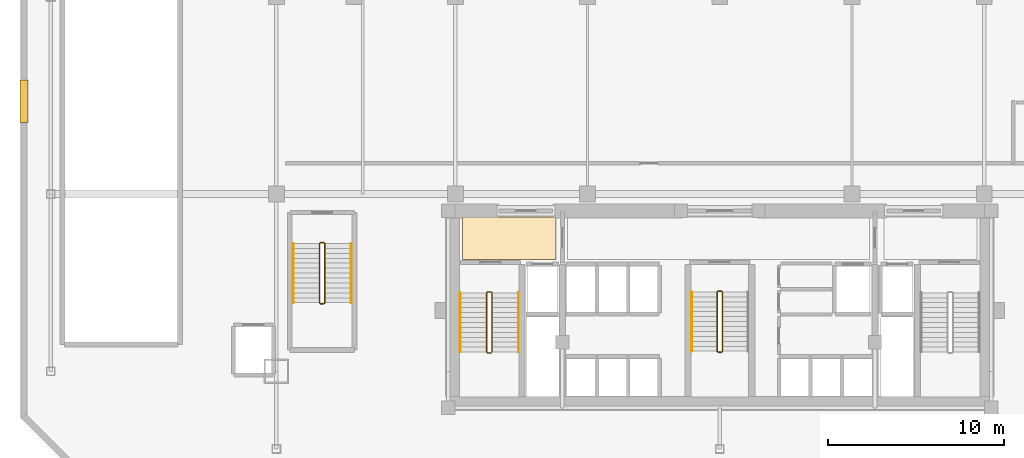
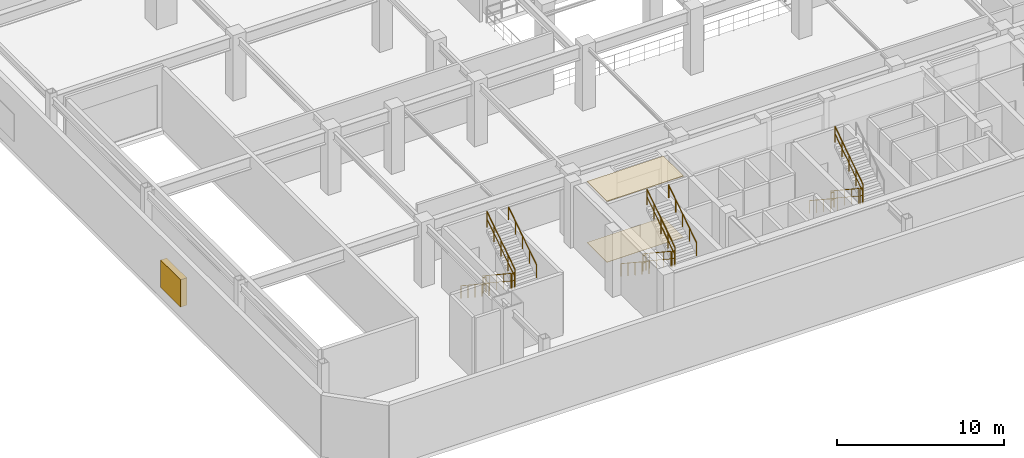
# One storey, part 8 of 10: 17 railings, 2 coverings, 1 shading device.
"""IFC4 building model written with IfcOpenShell, lengths in metres."""

from ifc_helpers import new_model, si_unit, direction, frame, origin, origin_2d, place, context, subcontext, project, spatial, polyline, rectangle, circle, outline, extrude, material, layer, layer_set, type_object, element, save


model = new_model("IFC4")

# Units and contexts
model_context = context("Model", 3, precision=1e-05, world=origin(), true_north=direction((0.0, 1.0)))
body_context = subcontext(model_context, "Body", "Model", "MODEL_VIEW")
ifc_project = project(units=[si_unit("LENGTHUNIT", "METRE"), si_unit("AREAUNIT", "SQUARE_METRE"), si_unit("VOLUMEUNIT", "CUBIC_METRE"), si_unit("PLANEANGLEUNIT", "RADIAN"), si_unit("MASSUNIT", "GRAM", prefix="KILO")], contexts=[model_context])

# Site, building, storey
site_placement = place(None, origin())
site = spatial("IfcSite", under=ifc_project, at=site_placement, CompositionType="ELEMENT")
building_placement = place(site_placement, origin())
building = spatial("IfcBuilding", under=site, at=building_placement, Name="Ventersveld Concourse Tower", CompositionType="ELEMENT")
storey_placement = place(building_placement, frame((0.0, 0.0, 15.0)))
storey = spatial("IfcBuildingStorey", under=building, at=storey_placement, Name="L03", CompositionType="ELEMENT", Elevation=15.0)

# Coverings
ifc_material_1 = material(Name="Mineral-fibre acoustic ceiling tile", Category="gypsum")
ifc_layer_1 = layer(ifc_material_1, 0.0400390625)
ifc_layer_set_1 = layer_set([ifc_layer_1], Name="Mineral-fibre acoustic ceiling tile")
covering_type_1 = type_object("IfcCoveringType", Name="COV-CEIL-ACOUSTIC", PredefinedType="CEILING", material=ifc_layer_set_1)
covering_1_placement = place(storey_placement, frame((0.0, 0.0, 4.4599609375)))
element("IfcCovering", 1, at=covering_1_placement, inside=storey, type_object=covering_type_1, Name="L03 West Firefighting Lobby Acoustic Ceiling", PredefinedType="CEILING", context=body_context, shape_type="SweptSolid", body=[
    extrude(outline(polyline([(14.14990234375, 8.699951171875), (19.449951171875, 8.699951171875), (19.449951171875, 11.10009765625), (14.14990234375, 11.10009765625), (14.14990234375, 8.699951171875)])), origin(), (0.0, 0.0, 1.0), 0.0400390625),
])
ifc_material_2 = material(Name="Polished Highveld granite terrazzo", Category="masonry")
ifc_layer_2 = layer(ifc_material_2, 0.02001953125)
ifc_layer_set_2 = layer_set([ifc_layer_2], Name="Polished Highveld granite terrazzo")
covering_type_2 = type_object("IfcCoveringType", Name="COV-FLOOR-TERRAZZO", PredefinedType="FLOORING", material=ifc_layer_set_2)
covering_2_placement = place(storey_placement, origin())
element("IfcCovering", 2, at=covering_2_placement, inside=storey, type_object=covering_type_2, Name="L03 West Firefighting Lobby Terrazzo Flooring", PredefinedType="FLOORING", context=body_context, shape_type="SweptSolid", body=[
    extrude(outline(polyline([(14.14990234375, 8.699951171875), (19.449951171875, 8.699951171875), (19.449951171875, 11.10009765625), (14.14990234375, 11.10009765625), (14.14990234375, 8.699951171875)])), origin(), (0.0, 0.0, 1.0), 0.02001953125),
])

# Railings
ifc_material_3 = material(Name="Brushed stainless steel 316", Category="steel")
railing_type_1 = type_object("IfcRailingType", Name="GD-BAL-115", PredefinedType="GUARDRAIL", material=ifc_material_3)
railing_1_placement = place(storey_placement, frame((15.530029296875, 6.800048828125, 0.1845703125)))
element("IfcRailing", 3, at=railing_1_placement, inside=storey, type_object=railing_type_1, Name="L03 ST-01 stair guard 1", PredefinedType="GUARDRAIL", context=body_context, shape_type="SweptSolid", body=[
    extrude(circle(Radius=0.02392578125, at=origin_2d()), frame((0.0, 0.0, 1.1259765625), z_axis=(0.0, -0.834876476806, 0.550437342915), x_axis=(1.0, 0.0, 0.0)), (0.0, 0.0, 1.0), 4.024658203125),
    extrude(circle(Radius=0.01611328125, at=origin_2d()), frame((0.0, 0.0, 0.574951171875), z_axis=(0.0, -0.834876476806, 0.550437342915), x_axis=(1.0, 0.0, 0.0)), (0.0, 0.0, 1.0), 4.024658203125),
    extrude(circle(Radius=0.02099609375, at=origin_2d()), origin(), (0.0, 0.0, 1.0), 1.101806640625),
    extrude(circle(Radius=0.02099609375, at=origin_2d()), frame((0.0, -0.840087890625, 0.5537109375)), (0.0, 0.0, 1.0), 1.101806640625),
    extrude(circle(Radius=0.02099609375, at=origin_2d()), frame((0.0, -1.68017578125, 1.107666015625)), (0.0, 0.0, 1.0), 1.101806640625),
    extrude(circle(Radius=0.02099609375, at=origin_2d()), frame((0.0, -2.52001953125, 1.66162109375)), (0.0, 0.0, 1.0), 1.101806640625),
    extrude(circle(Radius=0.02099609375, at=origin_2d()), frame((0.0, -3.360107421875, 2.21533203125)), (0.0, 0.0, 1.0), 1.101806640625),
])
railing_2_placement = place(storey_placement, frame((15.580078125, 3.389892578125, 2.39990234375)))
element("IfcRailing", 4, at=railing_2_placement, inside=storey, type_object=railing_type_1, Name="L03 ST-01 stair guard 2", PredefinedType="GUARDRAIL", context=body_context, shape_type="SweptSolid", body=[
    extrude(circle(Radius=0.02392578125, at=origin_2d()), frame((0.0, 0.0, 1.1259765625), z_axis=(1.0, 0.0, 0.0), x_axis=(0.0, 1.0, 0.0)), (0.0, 0.0, 1.0), 0.199951171875),
    extrude(circle(Radius=0.01611328125, at=origin_2d()), frame((0.0, 0.0, 0.574951171875), z_axis=(1.0, 0.0, 0.0), x_axis=(0.0, 1.0, 0.0)), (0.0, 0.0, 1.0), 0.199951171875),
    extrude(circle(Radius=0.02099609375, at=origin_2d()), origin(), (0.0, 0.0, 1.0), 1.101806640625),
    extrude(circle(Radius=0.02099609375, at=origin_2d()), frame((0.199951171875, 0.0, 0.0)), (0.0, 0.0, 1.0), 1.101806640625),
])
railing_3_placement = place(storey_placement, frame((15.830078125, 3.43994140625, 2.584716796875)))
element("IfcRailing", 5, at=railing_3_placement, inside=storey, type_object=railing_type_1, Name="L03 ST-01 stair guard 3", PredefinedType="GUARDRAIL", context=body_context, shape_type="SweptSolid", body=[
    extrude(circle(Radius=0.02392578125, at=origin_2d()), frame((0.0, 0.0, 1.1259765625), z_axis=(0.0, 0.834876476806, 0.550437342915), x_axis=(-1.0, 0.0, 0.0)), (0.0, 0.0, 1.0), 4.024658203125),
    extrude(circle(Radius=0.01611328125, at=origin_2d()), frame((0.0, 0.0, 0.574951171875), z_axis=(0.0, 0.834876476806, 0.550437342915), x_axis=(-1.0, 0.0, 0.0)), (0.0, 0.0, 1.0), 4.024658203125),
    extrude(circle(Radius=0.02099609375, at=origin_2d()), origin(), (0.0, 0.0, 1.0), 1.101806640625),
    extrude(circle(Radius=0.02099609375, at=origin_2d()), frame((0.0, 0.840087890625, 0.5537109375)), (0.0, 0.0, 1.0), 1.101806640625),
    extrude(circle(Radius=0.02099609375, at=origin_2d()), frame((0.0, 1.68017578125, 1.107666015625)), (0.0, 0.0, 1.0), 1.101806640625),
    extrude(circle(Radius=0.02099609375, at=origin_2d()), frame((0.0, 2.52001953125, 1.66162109375)), (0.0, 0.0, 1.0), 1.101806640625),
    extrude(circle(Radius=0.02099609375, at=origin_2d()), frame((0.0, 3.360107421875, 2.21533203125)), (0.0, 0.0, 1.0), 1.101806640625),
])
railing_4_placement = place(storey_placement, frame((15.580078125, 6.85009765625, 0.0)))
element("IfcRailing", 6, at=railing_4_placement, inside=storey, type_object=railing_type_1, Name="L03 ST-01 stair guard 4", PredefinedType="GUARDRAIL", context=body_context, shape_type="SweptSolid", body=[
    extrude(circle(Radius=0.02392578125, at=origin_2d()), frame((0.0, 0.0, 1.1259765625), z_axis=(1.0, 0.0, 0.0), x_axis=(0.0, 1.0, 0.0)), (0.0, 0.0, 1.0), 0.199951171875),
    extrude(circle(Radius=0.01611328125, at=origin_2d()), frame((0.0, 0.0, 0.574951171875), z_axis=(1.0, 0.0, 0.0), x_axis=(0.0, 1.0, 0.0)), (0.0, 0.0, 1.0), 0.199951171875),
    extrude(circle(Radius=0.02099609375, at=origin_2d()), origin(), (0.0, 0.0, 1.0), 1.101806640625),
    extrude(circle(Radius=0.02099609375, at=origin_2d()), frame((0.199951171875, 0.0, 0.0)), (0.0, 0.0, 1.0), 1.101806640625),
])
railing_5_placement = place(storey_placement, frame((28.60009765625, 6.85009765625, 0.1845703125)))
element("IfcRailing", 7, at=railing_5_placement, inside=storey, type_object=railing_type_1, Name="L03 ST-03 stair guard 1", PredefinedType="GUARDRAIL", context=body_context, shape_type="SweptSolid", body=[
    extrude(circle(Radius=0.02392578125, at=origin_2d()), frame((0.0, 0.0, 1.1259765625), z_axis=(0.0, -0.834876476806, 0.550437342915), x_axis=(1.0, 0.0, 0.0)), (0.0, 0.0, 1.0), 4.024658203125),
    extrude(circle(Radius=0.01611328125, at=origin_2d()), frame((0.0, 0.0, 0.574951171875), z_axis=(0.0, -0.834876476806, 0.550437342915), x_axis=(1.0, 0.0, 0.0)), (0.0, 0.0, 1.0), 4.024658203125),
    extrude(circle(Radius=0.02099609375, at=origin_2d()), origin(), (0.0, 0.0, 1.0), 1.101806640625),
    extrude(circle(Radius=0.02099609375, at=origin_2d()), frame((0.0, -0.840087890625, 0.5537109375)), (0.0, 0.0, 1.0), 1.101806640625),
    extrude(circle(Radius=0.02099609375, at=origin_2d()), frame((0.0, -1.68017578125, 1.107666015625)), (0.0, 0.0, 1.0), 1.101806640625),
    extrude(circle(Radius=0.02099609375, at=origin_2d()), frame((0.0, -2.52001953125, 1.66162109375)), (0.0, 0.0, 1.0), 1.101806640625),
    extrude(circle(Radius=0.02099609375, at=origin_2d()), frame((0.0, -3.360107421875, 2.21533203125)), (0.0, 0.0, 1.0), 1.101806640625),
])
railing_6_placement = place(storey_placement, frame((28.64990234375, 3.43994140625, 2.39990234375)))
element("IfcRailing", 8, at=railing_6_placement, inside=storey, type_object=railing_type_1, Name="L03 ST-03 stair guard 2", PredefinedType="GUARDRAIL", context=body_context, shape_type="SweptSolid", body=[
    extrude(circle(Radius=0.02392578125, at=origin_2d()), frame((0.0, 0.0, 1.1259765625), z_axis=(1.0, 0.0, 0.0), x_axis=(0.0, 1.0, 0.0)), (0.0, 0.0, 1.0), 0.2001953125),
    extrude(circle(Radius=0.01611328125, at=origin_2d()), frame((0.0, 0.0, 0.574951171875), z_axis=(1.0, 0.0, 0.0), x_axis=(0.0, 1.0, 0.0)), (0.0, 0.0, 1.0), 0.2001953125),
    extrude(circle(Radius=0.02099609375, at=origin_2d()), origin(), (0.0, 0.0, 1.0), 1.101806640625),
    extrude(circle(Radius=0.02099609375, at=origin_2d()), frame((0.2001953125, 0.0, 0.0)), (0.0, 0.0, 1.0), 1.101806640625),
])
railing_7_placement = place(storey_placement, frame((28.89990234375, 3.489990234375, 2.584716796875)))
element("IfcRailing", 9, at=railing_7_placement, inside=storey, type_object=railing_type_1, Name="L03 ST-03 stair guard 3", PredefinedType="GUARDRAIL", context=body_context, shape_type="SweptSolid", body=[
    extrude(circle(Radius=0.02392578125, at=origin_2d()), frame((0.0, 0.0, 1.1259765625), z_axis=(0.0, 0.834876476806, 0.550437342915), x_axis=(-1.0, 0.0, 0.0)), (0.0, 0.0, 1.0), 4.024658203125),
    extrude(circle(Radius=0.01611328125, at=origin_2d()), frame((0.0, 0.0, 0.574951171875), z_axis=(0.0, 0.834876476806, 0.550437342915), x_axis=(-1.0, 0.0, 0.0)), (0.0, 0.0, 1.0), 4.024658203125),
    extrude(circle(Radius=0.02099609375, at=origin_2d()), origin(), (0.0, 0.0, 1.0), 1.101806640625),
    extrude(circle(Radius=0.02099609375, at=origin_2d()), frame((0.0, 0.840087890625, 0.5537109375)), (0.0, 0.0, 1.0), 1.101806640625),
    extrude(circle(Radius=0.02099609375, at=origin_2d()), frame((0.0, 1.68017578125, 1.107666015625)), (0.0, 0.0, 1.0), 1.101806640625),
    extrude(circle(Radius=0.02099609375, at=origin_2d()), frame((0.0, 2.52001953125, 1.66162109375)), (0.0, 0.0, 1.0), 1.101806640625),
    extrude(circle(Radius=0.02099609375, at=origin_2d()), frame((0.0, 3.360107421875, 2.21533203125)), (0.0, 0.0, 1.0), 1.101806640625),
])
railing_8_placement = place(storey_placement, frame((28.64990234375, 6.89990234375, 0.0)))
element("IfcRailing", 10, at=railing_8_placement, inside=storey, type_object=railing_type_1, Name="L03 ST-03 stair guard 4", PredefinedType="GUARDRAIL", context=body_context, shape_type="SweptSolid", body=[
    extrude(circle(Radius=0.02392578125, at=origin_2d()), frame((0.0, 0.0, 1.1259765625), z_axis=(1.0, 0.0, 0.0), x_axis=(0.0, 1.0, 0.0)), (0.0, 0.0, 1.0), 0.2001953125),
    extrude(circle(Radius=0.01611328125, at=origin_2d()), frame((0.0, 0.0, 0.574951171875), z_axis=(1.0, 0.0, 0.0), x_axis=(0.0, 1.0, 0.0)), (0.0, 0.0, 1.0), 0.2001953125),
    extrude(circle(Radius=0.02099609375, at=origin_2d()), origin(), (0.0, 0.0, 1.0), 1.101806640625),
    extrude(circle(Radius=0.02099609375, at=origin_2d()), frame((0.2001953125, 0.0, 0.0)), (0.0, 0.0, 1.0), 1.101806640625),
])
railing_9_placement = place(storey_placement, frame((6.050048828125, 9.60009765625, 0.1845703125)))
element("IfcRailing", 11, at=railing_9_placement, inside=storey, type_object=railing_type_1, Name="L03 ST-04 stair guard 1", PredefinedType="GUARDRAIL", context=body_context, shape_type="SweptSolid", body=[
    extrude(circle(Radius=0.02392578125, at=origin_2d()), frame((0.0, 0.0, 1.1259765625), z_axis=(0.0, -0.834876476806, 0.550437342915), x_axis=(1.0, 0.0, 0.0)), (0.0, 0.0, 1.0), 4.024658203125),
    extrude(circle(Radius=0.01611328125, at=origin_2d()), frame((0.0, 0.0, 0.574951171875), z_axis=(0.0, -0.834876476806, 0.550437342915), x_axis=(1.0, 0.0, 0.0)), (0.0, 0.0, 1.0), 4.024658203125),
    extrude(circle(Radius=0.02099609375, at=origin_2d()), origin(), (0.0, 0.0, 1.0), 1.101806640625),
    extrude(circle(Radius=0.02099609375, at=origin_2d()), frame((0.0, -0.840087890625, 0.5537109375)), (0.0, 0.0, 1.0), 1.101806640625),
    extrude(circle(Radius=0.02099609375, at=origin_2d()), frame((0.0, -1.68017578125, 1.107666015625)), (0.0, 0.0, 1.0), 1.101806640625),
    extrude(circle(Radius=0.02099609375, at=origin_2d()), frame((0.0, -2.52001953125, 1.66162109375)), (0.0, 0.0, 1.0), 1.101806640625),
    extrude(circle(Radius=0.02099609375, at=origin_2d()), frame((0.0, -3.360107421875, 2.21533203125)), (0.0, 0.0, 1.0), 1.101806640625),
])
railing_10_placement = place(storey_placement, frame((6.10009765625, 6.18994140625, 2.39990234375)))
element("IfcRailing", 12, at=railing_10_placement, inside=storey, type_object=railing_type_1, Name="L03 ST-04 stair guard 2", PredefinedType="GUARDRAIL", context=body_context, shape_type="SweptSolid", body=[
    extrude(circle(Radius=0.02392578125, at=origin_2d()), frame((0.0, 0.0, 1.1259765625), z_axis=(1.0, 0.0, 0.0), x_axis=(0.0, 1.0, 0.0)), (0.0, 0.0, 1.0), 0.199951171875),
    extrude(circle(Radius=0.01611328125, at=origin_2d()), frame((0.0, 0.0, 0.574951171875), z_axis=(1.0, 0.0, 0.0), x_axis=(0.0, 1.0, 0.0)), (0.0, 0.0, 1.0), 0.199951171875),
    extrude(circle(Radius=0.02099609375, at=origin_2d()), origin(), (0.0, 0.0, 1.0), 1.101806640625),
    extrude(circle(Radius=0.02099609375, at=origin_2d()), frame((0.199951171875, 0.0, 0.0)), (0.0, 0.0, 1.0), 1.101806640625),
])
railing_11_placement = place(storey_placement, frame((6.35009765625, 6.239990234375, 2.584716796875)))
element("IfcRailing", 13, at=railing_11_placement, inside=storey, type_object=railing_type_1, Name="L03 ST-04 stair guard 3", PredefinedType="GUARDRAIL", context=body_context, shape_type="SweptSolid", body=[
    extrude(circle(Radius=0.02392578125, at=origin_2d()), frame((0.0, 0.0, 1.1259765625), z_axis=(0.0, 0.834876476806, 0.550437342915), x_axis=(-1.0, 0.0, 0.0)), (0.0, 0.0, 1.0), 4.024658203125),
    extrude(circle(Radius=0.01611328125, at=origin_2d()), frame((0.0, 0.0, 0.574951171875), z_axis=(0.0, 0.834876476806, 0.550437342915), x_axis=(-1.0, 0.0, 0.0)), (0.0, 0.0, 1.0), 4.024658203125),
    extrude(circle(Radius=0.02099609375, at=origin_2d()), origin(), (0.0, 0.0, 1.0), 1.101806640625),
    extrude(circle(Radius=0.02099609375, at=origin_2d()), frame((0.0, 0.840087890625, 0.5537109375)), (0.0, 0.0, 1.0), 1.101806640625),
    extrude(circle(Radius=0.02099609375, at=origin_2d()), frame((0.0, 1.68017578125, 1.107666015625)), (0.0, 0.0, 1.0), 1.101806640625),
    extrude(circle(Radius=0.02099609375, at=origin_2d()), frame((0.0, 2.52001953125, 1.66162109375)), (0.0, 0.0, 1.0), 1.101806640625),
    extrude(circle(Radius=0.02099609375, at=origin_2d()), frame((0.0, 3.360107421875, 2.21533203125)), (0.0, 0.0, 1.0), 1.101806640625),
])
railing_12_placement = place(storey_placement, frame((6.10009765625, 9.64990234375, 0.0)))
element("IfcRailing", 14, at=railing_12_placement, inside=storey, type_object=railing_type_1, Name="L03 ST-04 stair guard 4", PredefinedType="GUARDRAIL", context=body_context, shape_type="SweptSolid", body=[
    extrude(circle(Radius=0.02392578125, at=origin_2d()), frame((0.0, 0.0, 1.1259765625), z_axis=(1.0, 0.0, 0.0), x_axis=(0.0, 1.0, 0.0)), (0.0, 0.0, 1.0), 0.199951171875),
    extrude(circle(Radius=0.01611328125, at=origin_2d()), frame((0.0, 0.0, 0.574951171875), z_axis=(1.0, 0.0, 0.0), x_axis=(0.0, 1.0, 0.0)), (0.0, 0.0, 1.0), 0.199951171875),
    extrude(circle(Radius=0.02099609375, at=origin_2d()), origin(), (0.0, 0.0, 1.0), 1.101806640625),
    extrude(circle(Radius=0.02099609375, at=origin_2d()), frame((0.199951171875, 0.0, 0.0)), (0.0, 0.0, 1.0), 1.101806640625),
])
railing_type_2 = type_object("IfcRailingType", Name="HR-RMP-095", PredefinedType="HANDRAIL", material=ifc_material_3)
railing_13_placement = place(storey_placement, frame((14.030029296875, 6.800048828125, 0.1845703125)))
element("IfcRailing", 15, at=railing_13_placement, inside=storey, type_object=railing_type_2, Name="L03 ST-01 stair handrail 1", PredefinedType="HANDRAIL", context=body_context, shape_type="SweptSolid", body=[
    extrude(circle(Radius=0.02392578125, at=origin_2d()), frame((0.0, 0.0, 0.92578125), z_axis=(0.0, -0.834876476806, 0.550437342915), x_axis=(1.0, 0.0, 0.0)), (0.0, 0.0, 1.0), 4.024658203125),
    extrude(circle(Radius=0.02099609375, at=origin_2d()), origin(), (0.0, 0.0, 1.0), 0.90185546875),
    extrude(circle(Radius=0.02099609375, at=origin_2d()), frame((0.0, -0.840087890625, 0.5537109375)), (0.0, 0.0, 1.0), 0.90185546875),
    extrude(circle(Radius=0.02099609375, at=origin_2d()), frame((0.0, -1.68017578125, 1.107666015625)), (0.0, 0.0, 1.0), 0.90185546875),
    extrude(circle(Radius=0.02099609375, at=origin_2d()), frame((0.0, -2.52001953125, 1.66162109375)), (0.0, 0.0, 1.0), 0.90185546875),
    extrude(circle(Radius=0.02099609375, at=origin_2d()), frame((0.0, -3.360107421875, 2.21533203125)), (0.0, 0.0, 1.0), 0.90185546875),
])
railing_14_placement = place(storey_placement, frame((17.330078125, 3.43994140625, 2.584716796875)))
element("IfcRailing", 16, at=railing_14_placement, inside=storey, type_object=railing_type_2, Name="L03 ST-01 stair handrail 2", PredefinedType="HANDRAIL", context=body_context, shape_type="SweptSolid", body=[
    extrude(circle(Radius=0.02392578125, at=origin_2d()), frame((0.0, 0.0, 0.92578125), z_axis=(0.0, 0.834876476806, 0.550437342915), x_axis=(-1.0, 0.0, 0.0)), (0.0, 0.0, 1.0), 4.024658203125),
    extrude(circle(Radius=0.02099609375, at=origin_2d()), origin(), (0.0, 0.0, 1.0), 0.90185546875),
    extrude(circle(Radius=0.02099609375, at=origin_2d()), frame((0.0, 0.840087890625, 0.5537109375)), (0.0, 0.0, 1.0), 0.90185546875),
    extrude(circle(Radius=0.02099609375, at=origin_2d()), frame((0.0, 1.68017578125, 1.107666015625)), (0.0, 0.0, 1.0), 0.90185546875),
    extrude(circle(Radius=0.02099609375, at=origin_2d()), frame((0.0, 2.52001953125, 1.66162109375)), (0.0, 0.0, 1.0), 0.90185546875),
    extrude(circle(Radius=0.02099609375, at=origin_2d()), frame((0.0, 3.360107421875, 2.21533203125)), (0.0, 0.0, 1.0), 0.90185546875),
])
for number, where, name in (
    (17, (27.14990234375, 6.85009765625, 0.1845703125), "L03 ST-03 stair handrail 1"),
    (18, (4.550048828125, 9.60009765625, 0.1845703125), "L03 ST-04 stair handrail 1"),
):
    element("IfcRailing", number, at=place(storey_placement, frame(where)), inside=storey, type_object=railing_type_2, Name=name, PredefinedType="HANDRAIL", context=body_context, shape_type="SweptSolid", body=[
        extrude(circle(Radius=0.02392578125, at=origin_2d()), frame((0.0, 0.0, 0.92578125), z_axis=(0.0, -0.834876476806, 0.550437342915), x_axis=(1.0, 0.0, 0.0)), (0.0, 0.0, 1.0), 4.024658203125),
        extrude(circle(Radius=0.02099609375, at=origin_2d()), origin(), (0.0, 0.0, 1.0), 0.90185546875),
        extrude(circle(Radius=0.02099609375, at=origin_2d()), frame((0.0, -0.840087890625, 0.5537109375)), (0.0, 0.0, 1.0), 0.90185546875),
        extrude(circle(Radius=0.02099609375, at=origin_2d()), frame((0.0, -1.68017578125, 1.107666015625)), (0.0, 0.0, 1.0), 0.90185546875),
        extrude(circle(Radius=0.02099609375, at=origin_2d()), frame((0.0, -2.52001953125, 1.66162109375)), (0.0, 0.0, 1.0), 0.90185546875),
        extrude(circle(Radius=0.02099609375, at=origin_2d()), frame((0.0, -3.360107421875, 2.21533203125)), (0.0, 0.0, 1.0), 0.90185546875),
    ])
railing_15_placement = place(storey_placement, frame((7.85009765625, 6.239990234375, 2.584716796875)))
element("IfcRailing", 19, at=railing_15_placement, inside=storey, type_object=railing_type_2, Name="L03 ST-04 stair handrail 2", PredefinedType="HANDRAIL", context=body_context, shape_type="SweptSolid", body=[
    extrude(circle(Radius=0.02392578125, at=origin_2d()), frame((0.0, 0.0, 0.92578125), z_axis=(0.0, 0.834876476806, 0.550437342915), x_axis=(-1.0, 0.0, 0.0)), (0.0, 0.0, 1.0), 4.024658203125),
    extrude(circle(Radius=0.02099609375, at=origin_2d()), origin(), (0.0, 0.0, 1.0), 0.90185546875),
    extrude(circle(Radius=0.02099609375, at=origin_2d()), frame((0.0, 0.840087890625, 0.5537109375)), (0.0, 0.0, 1.0), 0.90185546875),
    extrude(circle(Radius=0.02099609375, at=origin_2d()), frame((0.0, 1.68017578125, 1.107666015625)), (0.0, 0.0, 1.0), 0.90185546875),
    extrude(circle(Radius=0.02099609375, at=origin_2d()), frame((0.0, 2.52001953125, 1.66162109375)), (0.0, 0.0, 1.0), 0.90185546875),
    extrude(circle(Radius=0.02099609375, at=origin_2d()), frame((0.0, 3.360107421875, 2.21533203125)), (0.0, 0.0, 1.0), 0.90185546875),
])

# Shading device
ifc_material_4 = material(Name="Anodised aluminium EN AW-6063-T6", Category="aluminium")
shading_device_type = type_object("IfcShadingDeviceType", Name="SHD-LOUVRE-300", PredefinedType="JALOUSIE", material=ifc_material_4)
shading_device_placement = place(storey_placement, frame((-10.719970703125, 17.659912109375, 0.800048828125), z_axis=(0.0, 0.0, 1.0), x_axis=(0.0, 1.0, 0.0)))
element("IfcShadingDevice", 20, at=shading_device_placement, inside=storey, type_object=shading_device_type, Name="L03 Acoustic Intake Louvre W2", PredefinedType="JALOUSIE", context=body_context, shape_type="SweptSolid", body=[
    extrude(rectangle(XDim=2.39990234375, YDim=0.43994140625, at=origin_2d()), origin(), (0.0, 0.0, 1.0), 2.0),
])

save(model, "model.ifc")
